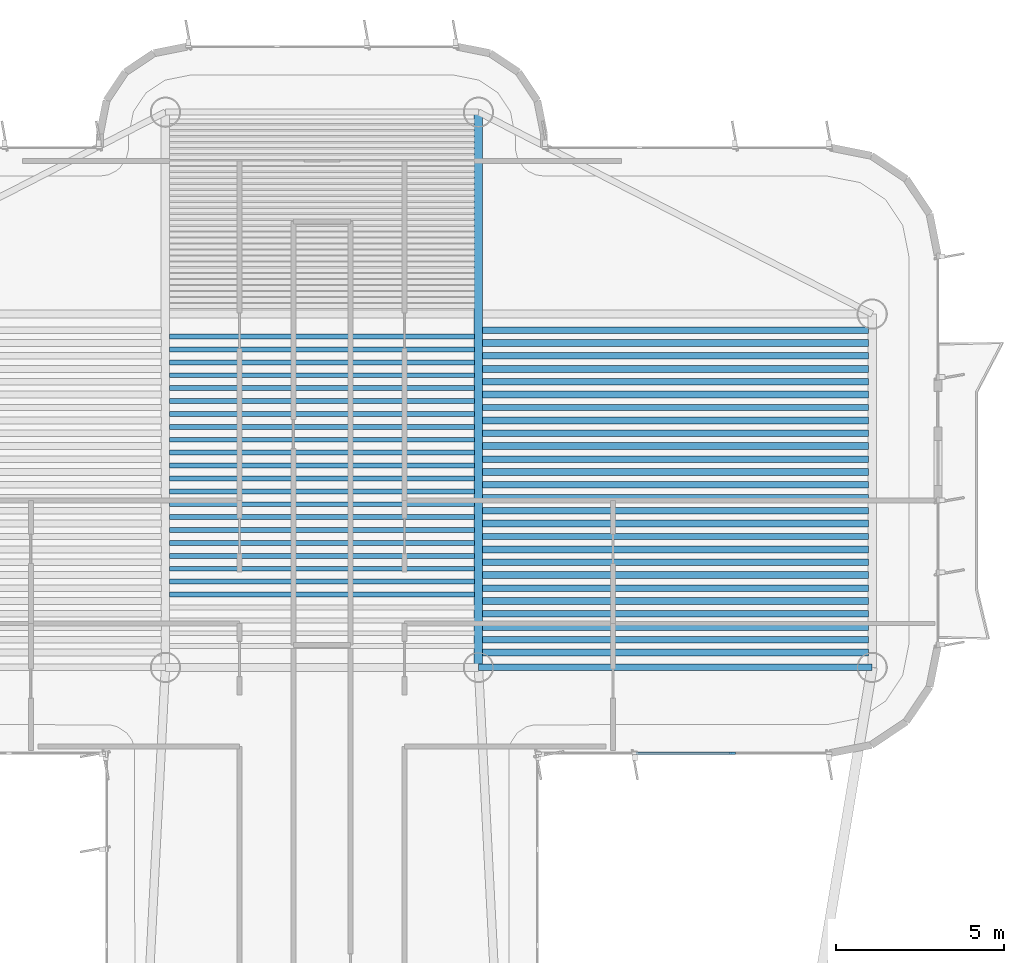
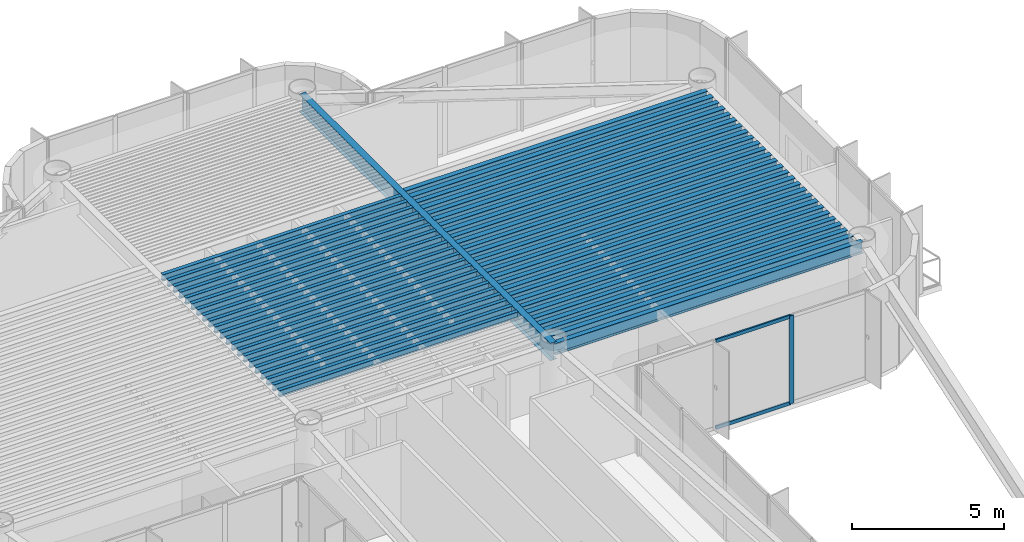
# One storey, part 6 of 15: 49 beams, 3 members, 1 element without a shape of its own.
"""IFC4 building model written with IfcOpenShell, lengths in metres."""

import ifcopenshell
import ifcopenshell.guid

model = None  # the IFC model being written
_history = None  # IfcOwnerHistory: only IFC2X3 demands one
_inside = {}  # id of a spatial element -> (the spatial element, [elements in it])
_under = {}  # id of a project, library or spatial element -> (it, [spatial elements below it])
_declared = {}  # id of a project -> (the project, [libraries it declares])
_typed = {}  # id of a type object -> (the type object, [elements of that type])
_made_of = {}  # id of a material, layer set ... -> (it, [elements and type objects made of it])


def new_model(schema):
    """Start an empty IFC model of exactly this schema.

    Asked for "IFC4X3", IfcOpenShell would pick the latest addendum, in which some entities
    have other attributes; the version numbers below select the first issue.
    IFC2X3 requires an IfcOwnerHistory on every rooted entity: one is made here for all.
    """
    global model, _history
    if schema == "IFC4X3":
        model = ifcopenshell.file(schema_version=(4, 3, 0, 0))
    else:
        model = ifcopenshell.file(schema=schema)
    _inside.clear()
    _under.clear()
    _declared.clear()
    _typed.clear()
    _made_of.clear()
    _history = None
    if model.schema == "IFC2X3":
        org = make("IfcOrganization", Name="unknown")
        user = make(
            "IfcPersonAndOrganization",
            ThePerson=make("IfcPerson", FamilyName="unknown"),
            TheOrganization=org,
        )
        app = make(
            "IfcApplication",
            ApplicationDeveloper=org,
            Version="unknown",
            ApplicationFullName="unknown",
            ApplicationIdentifier="unknown",
        )
        _history = make(
            "IfcOwnerHistory",
            OwningUser=user,
            OwningApplication=app,
            ChangeAction="ADDED",
            CreationDate=0,
        )
    return model


def make(cls, **values):
    """One entity of the class cls with the attributes given. An attribute that is None is left unset."""
    return model.create_entity(
        cls, **{name: value for name, value in values.items() if value is not None}
    )


def rooted(cls, **values):
    """An entity with a GlobalId (a new one), such as an element, a storey or a relation."""
    return make(cls, GlobalId=ifcopenshell.guid.new(), OwnerHistory=_history, **values)


def si_unit(unit_type, name, prefix=None):
    """IfcSIUnit, for example si_unit("LENGTHUNIT", "METRE", prefix="MILLI")."""
    return make("IfcSIUnit", UnitType=unit_type, Prefix=prefix, Name=name)


def assignment(units):
    """IfcUnitAssignment: the units of a project."""
    return None if units is None else make("IfcUnitAssignment", Units=units)


def point(xyz):
    """IfcCartesianPoint."""
    return None if xyz is None else make("IfcCartesianPoint", Coordinates=xyz)


def direction(xyz):
    """IfcDirection."""
    return None if xyz is None else make("IfcDirection", DirectionRatios=xyz)


def frame(location, z_axis=None, x_axis=None):
    """IfcAxis2Placement3D, a coordinate frame: its origin and axes. An axis left out is left unset."""
    return make(
        "IfcAxis2Placement3D",
        Location=point(location),
        Axis=direction(z_axis),
        RefDirection=direction(x_axis),
    )


def frame_2d(location, x_axis=None):
    """IfcAxis2Placement2D, a coordinate frame in the plane: its origin and x axis."""
    return make(
        "IfcAxis2Placement2D", Location=point(location), RefDirection=direction(x_axis)
    )


def origin():
    """The frame at (0, 0, 0) with its axes left unset."""
    return frame((0.0, 0.0, 0.0))


def origin_2d():
    """The frame at (0, 0) in the plane with its x axis left unset."""
    return frame_2d((0.0, 0.0))


def place(relative_to, where):
    """IfcLocalPlacement: puts the frame where relative to a parent placement (None: the world)."""
    return make(
        "IfcLocalPlacement", PlacementRelTo=relative_to, RelativePlacement=where
    )


def context(
    kind, dimensions, precision=None, world=None, true_north=None, identifier=None
):
    """IfcGeometricRepresentationContext, for example the 3D "Model" context."""
    return make(
        "IfcGeometricRepresentationContext",
        ContextIdentifier=identifier,
        ContextType=kind,
        CoordinateSpaceDimension=dimensions,
        Precision=precision,
        WorldCoordinateSystem=world,
        TrueNorth=true_north,
    )


def subcontext(parent, identifier, kind, view, scale=None):
    """IfcGeometricRepresentationSubContext, for example "Body" below "Model"."""
    return make(
        "IfcGeometricRepresentationSubContext",
        ContextIdentifier=identifier,
        ContextType=kind,
        ParentContext=parent,
        TargetScale=scale,
        TargetView=view,
    )


def project(units=None, contexts=None):
    """IfcProject with its units and contexts."""
    return rooted(
        "IfcProject",
        Name="project",
        RepresentationContexts=contexts,
        UnitsInContext=assignment(units),
    )


def spatial(cls, under=None, at=None, **own):
    """A site, building, storey or space (cls), placed at a placement, below another one or the project."""
    s = rooted(cls, ObjectPlacement=at, **own)
    if under is not None:
        _under.setdefault(under.id(), (under, []))[1].append(s)
    return s


def profile(cls, at=None, kind="AREA", **sizes):
    """A parametric profile (cls). Its sizes go by their IFC names, for example OverallWidth=200.0."""
    return make(cls, ProfileType=kind, Position=at, **sizes)


def rectangle(**sizes):
    """IfcRectangleProfileDef."""
    return profile("IfcRectangleProfileDef", **sizes)


def i_section(**sizes):
    """IfcIShapeProfileDef."""
    return profile("IfcIShapeProfileDef", **sizes)


def extrude(swept, where, along, depth):
    """IfcExtrudedAreaSolid: the profile swept, set in the frame where, extruded along a direction by depth."""
    return make(
        "IfcExtrudedAreaSolid",
        SweptArea=swept,
        Position=where,
        ExtrudedDirection=direction(along),
        Depth=depth,
    )


def shape(context_of_items, identifier, shape_type, items):
    """IfcShapeRepresentation: the items that make up one representation, for example the "Body"."""
    return make(
        "IfcShapeRepresentation",
        ContextOfItems=context_of_items,
        RepresentationIdentifier=identifier,
        RepresentationType=shape_type,
        Items=items,
    )


def source(mapping_origin, context_of_items, identifier, shape_type, items):
    """IfcRepresentationMap: a shape defined once, which mapped items show again and again."""
    return make(
        "IfcRepresentationMap",
        MappingOrigin=mapping_origin,
        MappedRepresentation=shape(context_of_items, identifier, shape_type, items),
    )


def transform(
    local_origin,
    x_axis=None,
    y_axis=None,
    z_axis=None,
    scale=None,
    scale2=None,
    scale3=None,
    uniform=True,
):
    """IfcCartesianTransformationOperator3D, or its non-uniform kind. x_axis, y_axis, z_axis: its Axis1, 2, 3."""
    if uniform:
        return make(
            "IfcCartesianTransformationOperator3D",
            Axis1=direction(x_axis),
            Axis2=direction(y_axis),
            LocalOrigin=point(local_origin),
            Scale=scale,
            Axis3=direction(z_axis),
        )
    return make(
        "IfcCartesianTransformationOperator3DnonUniform",
        Axis1=direction(x_axis),
        Axis2=direction(y_axis),
        LocalOrigin=point(local_origin),
        Scale=scale,
        Axis3=direction(z_axis),
        Scale2=scale2,
        Scale3=scale3,
    )


def mapped(mapping_source, mapping_target):
    """IfcMappedItem: shows the shape of a source again, moved by a transform."""
    return make(
        "IfcMappedItem", MappingSource=mapping_source, MappingTarget=mapping_target
    )


def material(Name=None, Category=None):
    """IfcMaterial."""
    return make("IfcMaterial", Name=Name, Category=Category)


def layer(
    of_material, thickness, ventilated=None, Name=None, Category=None, Priority=None
):
    """IfcMaterialLayer: one layer of a wall or slab, of a material (None: an air gap)."""
    return make(
        "IfcMaterialLayer",
        Material=of_material,
        LayerThickness=thickness,
        IsVentilated=ventilated,
        Name=Name,
        Category=Category,
        Priority=Priority,
    )


def layer_set(layers, Name=None):
    """IfcMaterialLayerSet."""
    return make("IfcMaterialLayerSet", MaterialLayers=layers, LayerSetName=Name)


def material_profile(
    of_material, cross_section, Name=None, Category=None, Priority=None
):
    """IfcMaterialProfile: a cross section and its material."""
    return make(
        "IfcMaterialProfile",
        Name=Name,
        Material=of_material,
        Profile=cross_section,
        Priority=Priority,
        Category=Category,
    )


def profile_set(profiles, Name=None, composite=None):
    """IfcMaterialProfileSet."""
    return make(
        "IfcMaterialProfileSet",
        Name=Name,
        MaterialProfiles=profiles,
        CompositeProfile=composite,
    )


def made_of(thing, what):
    """Note that an element or type object is made of a material, layer set ...; save() writes the relation."""
    if what is not None:
        _made_of.setdefault(what.id(), (what, []))[1].append(thing)
    return thing


def type_object(cls, material=None, **own):
    """A type object (cls), such as IfcWallType, which elements share."""
    return made_of(rooted(cls, **own), material)


def element(
    cls,
    number,
    at=None,
    inside=None,
    cuts=None,
    type_object=None,
    material=None,
    context=None,
    identifier="Body",
    shape_type=None,
    held_by="IfcProductDefinitionShape",
    body=None,
    shapes=None,
    **own,
):
    """One element of the class cls, such as IfcWall. Its Tag is "e" and its number.

    at: its placement. inside: the storey or other place that contains it. cuts: it is an
    opening in that element (IfcRelVoidsElement). A single representation is given by context,
    identifier, shape_type and body (its items); several are given by shapes. held_by: the class
    of the entity that holds the representations. save() writes the other relations.
    """
    e = rooted(cls, Tag="e%d" % number, ObjectPlacement=at, **own)
    if body is not None:
        shapes = [shape(context, identifier, shape_type, body)]
    if shapes is not None:
        e.Representation = make(held_by, Representations=shapes)
    if inside is not None:
        _inside.setdefault(inside.id(), (inside, []))[1].append(e)
    if cuts is not None:
        rooted(
            "IfcRelVoidsElement", RelatingBuildingElement=cuts, RelatedOpeningElement=e
        )
    if type_object is not None:
        _typed.setdefault(type_object.id(), (type_object, []))[1].append(e)
    return made_of(e, material)


def aggregate(whole, parts):
    """IfcRelAggregates: a whole, such as a stair, and the parts it consists of."""
    return rooted("IfcRelAggregates", RelatingObject=whole, RelatedObjects=parts)


def save(model, path):
    """Write the relations noted so far, then the file.

    IfcRelAggregates (storeys below a building ...), IfcRelContainedInSpatialStructure (elements
    in a storey), IfcRelDefinesByType, IfcRelAssociatesMaterial and IfcRelDeclares: one each for
    every whole, place, type object, material and project.
    """
    for whole, parts in _under.values():
        aggregate(whole, parts)
    for where, things in _inside.values():
        rooted(
            "IfcRelContainedInSpatialStructure",
            RelatedElements=things,
            RelatingStructure=where,
        )
    for kind, things in _typed.values():
        rooted("IfcRelDefinesByType", RelatedObjects=things, RelatingType=kind)
    for what, things in _made_of.values():
        rooted("IfcRelAssociatesMaterial", RelatedObjects=things, RelatingMaterial=what)
    for by, libraries in _declared.values():
        rooted("IfcRelDeclares", RelatingContext=by, RelatedDefinitions=libraries)
    model.write(path)


model = new_model("IFC4")

# Units and contexts
model_context = context("Model", 3, precision=1e-05, world=origin(), true_north=direction((0.0, 1.0)))
body_context = subcontext(model_context, "Body", "Model", "MODEL_VIEW")
ifc_project = project(units=[si_unit("LENGTHUNIT", "METRE"), si_unit("AREAUNIT", "SQUARE_METRE"), si_unit("VOLUMEUNIT", "CUBIC_METRE"), si_unit("PLANEANGLEUNIT", "RADIAN"), si_unit("MASSUNIT", "GRAM", prefix="KILO")], contexts=[model_context])

# Site, building, storey
site_placement = place(None, origin())
site = spatial("IfcSite", under=ifc_project, at=site_placement, CompositionType="ELEMENT")
building_placement = place(site_placement, origin())
building = spatial("IfcBuilding", under=site, at=building_placement, Name="Brelvock Crest Care Tower", CompositionType="ELEMENT")
storey_placement = place(building_placement, frame((0.0, 0.0, 241.919921875)))
storey = spatial("IfcBuildingStorey", under=building, at=storey_placement, Name="L61", CompositionType="ELEMENT", Elevation=241.919921875)

# Beams
ifc_material_1 = material(Name="Steel Grade 350", Category="steel")
ifc_material_profile_1 = material_profile(ifc_material_1, i_section(OverallWidth=0.14599609375, OverallDepth=0.256103515625, WebThickness=0.00634765625, FlangeThickness=0.010986328125, FilletRadius=0.0087890625, at=origin_2d()), Name="250UB37.3")
ifc_profile_set_1 = profile_set([ifc_material_profile_1], Name="Steel Grade 350")
beam_type_1 = type_object("IfcBeamType", Name="BM-J3", PredefinedType="JOIST", material=ifc_profile_set_1)
shared_shape_1 = source(origin(), body_context, "Body", "SweptSolid", [
    extrude(i_section(OverallWidth=0.14599609375, OverallDepth=0.256103515625, WebThickness=0.00634765625, FlangeThickness=0.010986328125, FilletRadius=0.0087890625, at=origin_2d()), origin(), (0.0, 0.0, 1.0), 9.06982421875),
])
for number, where, z_axis, x_axis, name in (
    (1, (31.465087890625, 46.115478515625, 3.402099609375), (1.0, 0.0, 0.0), (0.0, 1.0, 0.0), "BM-JH-L61-5"),
    (2, (31.465087890625, 46.498779296875, 3.402099609375), (1.0, 0.0, 0.0), (0.0, 1.0, 0.0), "BM-JH-L61-6"),
    (3, (31.465087890625, 46.882080078125, 3.402099609375), (1.0, 0.0, 0.0), (0.0, 1.0, 0.0), "BM-JH-L61-7"),
    (4, (31.465087890625, 47.265380859375, 3.402099609375), (1.0, 0.0, 0.0), (0.0, 1.0, 0.0), "BM-JH-L61-8"),
    (5, (31.465087890625, 47.648681640625, 3.402099609375), (1.0, 0.0, 0.0), (0.0, 1.0, 0.0), "BM-JH-L61-9"),
    (6, (31.465087890625, 48.031982421875, 3.402099609375), (1.0, 0.0, 0.0), (0.0, 1.0, 0.0), "BM-JH-L61-10"),
    (7, (31.465087890625, 48.4150390625, 3.402099609375), (1.0, 0.0, 0.0), (0.0, 1.0, 0.0), "BM-JH-L61-11"),
    (8, (31.465087890625, 48.79833984375, 3.402099609375), (1.0, 0.0, 0.0), (0.0, 1.0, 0.0), "BM-JH-L61-12"),
    (9, (31.465087890625, 49.181640625, 3.402099609375), (1.0, 0.0, 0.0), (0.0, 1.0, 0.0), "BM-JH-L61-13"),
    (10, (31.465087890625, 49.564697265625, 3.402099609375), (1.0, 0.0, 0.0), (0.0, 1.0, 0.0), "BM-JH-L61-14"),
    (11, (31.465087890625, 49.947998046875, 3.402099609375), (1.0, 0.0, 0.0), (0.0, 1.0, 0.0), "BM-JH-L61-15"),
    (12, (31.465087890625, 50.331298828125, 3.402099609375), (1.0, 0.0, 0.0), (0.0, 1.0, 0.0), "BM-JH-L61-16"),
    (13, (31.465087890625, 50.714599609375, 3.402099609375), (1.0, 0.0, 0.0), (0.0, 1.0, 0.0), "BM-JH-L61-17"),
    (14, (31.465087890625, 51.097900390625, 3.402099609375), (1.0, 0.0, 0.0), (0.0, 1.0, 0.0), "BM-JH-L61-18"),
    (15, (31.465087890625, 51.481201171875, 3.402099609375), (1.0, 0.0, 0.0), (0.0, 1.0, 0.0), "BM-JH-L61-19"),
    (16, (31.465087890625, 51.864501953125, 3.402099609375), (1.0, 0.0, 0.0), (0.0, 1.0, 0.0), "BM-JH-L61-20"),
    (17, (31.465087890625, 52.24755859375, 3.402099609375), (1.0, 0.0, 0.0), (0.0, 1.0, 0.0), "BM-JH-L61-21"),
    (18, (31.465087890625, 52.630859375, 3.402099609375), (1.0, 0.0, 0.0), (0.0, 1.0, 0.0), "BM-JH-L61-22"),
    (19, (31.465087890625, 53.01416015625, 3.402099609375), (1.0, 0.0, 0.0), (0.0, 1.0, 0.0), "BM-JH-L61-23"),
    (20, (31.465087890625, 53.3974609375, 3.402099609375), (1.0, 0.0, 0.0), (0.0, 1.0, 0.0), "BM-JH-L61-24"),
    (21, (31.465087890625, 53.780517578125, 3.402099609375), (1.0, 0.0, 0.0), (0.0, 1.0, 0.0), "BM-JH-L61-25"),
):
    element("IfcBeam", number, at=place(storey_placement, frame(where, z_axis=z_axis, x_axis=x_axis)), inside=storey, type_object=beam_type_1, Name=name, PredefinedType="JOIST", context=body_context, shape_type="MappedRepresentation", body=[
        mapped(shared_shape_1, transform((0.0, 0.0, 0.0), x_axis=(1.0, 0.0, 0.0), y_axis=(0.0, 1.0, 0.0), z_axis=(0.0, 0.0, 1.0), scale=1.0)),
    ])
ifc_material_profile_2 = material_profile(ifc_material_1, i_section(OverallWidth=0.19091796875, OverallDepth=0.4599609375, WebThickness=0.010009765625, FlangeThickness=0.01611328125, FilletRadius=0.011474609375, at=origin_2d()), Name="460UB82.1")
ifc_profile_set_2 = profile_set([ifc_material_profile_2], Name="Steel Grade 350")
beam_type_2 = type_object("IfcBeamType", Name="BM-G3", PredefinedType="BEAM", material=ifc_profile_set_2)
shared_shape_2 = source(origin(), body_context, "Body", "SweptSolid", [
    extrude(i_section(OverallWidth=0.19091796875, OverallDepth=0.4599609375, WebThickness=0.010009765625, FlangeThickness=0.01611328125, FilletRadius=0.011474609375, at=origin_2d()), origin(), (0.0, 0.0, 1.0), 11.47021484375),
])
for number, where, z_axis, x_axis, name in (
    (22, (40.764892578125, 44.7744140625, 3.300048828125), (1.0, 0.0, 0.0), (0.0, 1.0, 0.0), "BM-JE-L61-2"),
    (23, (40.764892578125, 45.540771484375, 3.300048828125), (1.0, 0.0, 0.0), (0.0, 1.0, 0.0), "BM-JE-L61-4"),
    (24, (40.764892578125, 46.307373046875, 3.300048828125), (1.0, 0.0, 0.0), (0.0, 1.0, 0.0), "BM-JE-L61-6"),
    (25, (40.764892578125, 47.07373046875, 3.300048828125), (1.0, 0.0, 0.0), (0.0, 1.0, 0.0), "BM-JE-L61-8"),
    (26, (40.764892578125, 47.84033203125, 3.300048828125), (1.0, 0.0, 0.0), (0.0, 1.0, 0.0), "BM-JE-L61-10"),
    (27, (40.764892578125, 48.606689453125, 3.300048828125), (1.0, 0.0, 0.0), (0.0, 1.0, 0.0), "BM-JE-L61-12"),
    (28, (40.764892578125, 49.373291015625, 3.300048828125), (1.0, 0.0, 0.0), (0.0, 1.0, 0.0), "BM-JE-L61-14"),
    (29, (40.764892578125, 50.139892578125, 3.300048828125), (1.0, 0.0, 0.0), (0.0, 1.0, 0.0), "BM-JE-L61-16"),
    (30, (40.764892578125, 50.90625, 3.300048828125), (1.0, 0.0, 0.0), (0.0, 1.0, 0.0), "BM-JE-L61-18"),
    (31, (40.764892578125, 51.6728515625, 3.300048828125), (1.0, 0.0, 0.0), (0.0, 1.0, 0.0), "BM-JE-L61-20"),
    (32, (40.764892578125, 52.439208984375, 3.300048828125), (1.0, 0.0, 0.0), (0.0, 1.0, 0.0), "BM-JE-L61-22"),
    (33, (40.764892578125, 53.205810546875, 3.300048828125), (1.0, 0.0, 0.0), (0.0, 1.0, 0.0), "BM-JE-L61-24"),
    (34, (40.764892578125, 53.972412109375, 3.300048828125), (1.0, 0.0, 0.0), (0.0, 1.0, 0.0), "BM-JE-L61-26"),
):
    element("IfcBeam", number, at=place(storey_placement, frame(where, z_axis=z_axis, x_axis=x_axis)), inside=storey, type_object=beam_type_2, Name=name, PredefinedType="BEAM", context=body_context, shape_type="MappedRepresentation", body=[
        mapped(shared_shape_2, transform((0.0, 0.0, 0.0), x_axis=(1.0, 0.0, 0.0), y_axis=(0.0, 1.0, 0.0), z_axis=(0.0, 0.0, 1.0), scale=1.0)),
    ])
ifc_material_profile_3 = material_profile(ifc_material_1, i_section(OverallWidth=0.208984375, OverallDepth=0.532958984375, WebThickness=0.01025390625, FlangeThickness=0.015625, FilletRadius=0.013916015625, at=origin_2d()), Name="530UB92.4")
ifc_profile_set_3 = profile_set([ifc_material_profile_3], Name="Steel Grade 350")
beam_type_3 = type_object("IfcBeamType", Name="BM-G2", PredefinedType="BEAM", material=ifc_profile_set_3)
shared_shape_3 = source(origin(), body_context, "Body", "SweptSolid", [
    extrude(i_section(OverallWidth=0.208984375, OverallDepth=0.532958984375, WebThickness=0.01025390625, FlangeThickness=0.015625, FilletRadius=0.013916015625, at=origin_2d()), origin(), (0.0, 0.0, 1.0), 11.47021484375),
])
for number, where, z_axis, x_axis, name in (
    (35, (40.764892578125, 44.39111328125, 3.263671875), (1.0, 0.0, 0.0), (0.0, 1.0, 0.0), "BM-JE-L61-1"),
    (36, (40.764892578125, 45.157470703125, 3.263671875), (1.0, 0.0, 0.0), (0.0, 1.0, 0.0), "BM-JE-L61-3"),
    (37, (40.764892578125, 45.924072265625, 3.263671875), (1.0, 0.0, 0.0), (0.0, 1.0, 0.0), "BM-JE-L61-5"),
    (38, (40.764892578125, 46.6904296875, 3.263671875), (1.0, 0.0, 0.0), (0.0, 1.0, 0.0), "BM-JE-L61-7"),
    (39, (40.764892578125, 47.45703125, 3.263671875), (1.0, 0.0, 0.0), (0.0, 1.0, 0.0), "BM-JE-L61-9"),
    (40, (40.764892578125, 48.223388671875, 3.263671875), (1.0, 0.0, 0.0), (0.0, 1.0, 0.0), "BM-JE-L61-11"),
    (41, (40.764892578125, 48.989990234375, 3.263671875), (1.0, 0.0, 0.0), (0.0, 1.0, 0.0), "BM-JE-L61-13"),
    (42, (40.764892578125, 49.756591796875, 3.263671875), (1.0, 0.0, 0.0), (0.0, 1.0, 0.0), "BM-JE-L61-15"),
    (43, (40.764892578125, 50.52294921875, 3.263671875), (1.0, 0.0, 0.0), (0.0, 1.0, 0.0), "BM-JE-L61-17"),
    (44, (40.764892578125, 51.28955078125, 3.263671875), (1.0, 0.0, 0.0), (0.0, 1.0, 0.0), "BM-JE-L61-19"),
    (45, (40.764892578125, 52.055908203125, 3.263671875), (1.0, 0.0, 0.0), (0.0, 1.0, 0.0), "BM-JE-L61-21"),
    (46, (40.764892578125, 52.822509765625, 3.263671875), (1.0, 0.0, 0.0), (0.0, 1.0, 0.0), "BM-JE-L61-23"),
    (47, (40.764892578125, 53.589111328125, 3.263671875), (1.0, 0.0, 0.0), (0.0, 1.0, 0.0), "BM-JE-L61-25"),
):
    element("IfcBeam", number, at=place(storey_placement, frame(where, z_axis=z_axis, x_axis=x_axis)), inside=storey, type_object=beam_type_3, Name=name, PredefinedType="BEAM", context=body_context, shape_type="MappedRepresentation", body=[
        mapped(shared_shape_3, transform((0.0, 0.0, 0.0), x_axis=(1.0, 0.0, 0.0), y_axis=(0.0, 1.0, 0.0), z_axis=(0.0, 0.0, 1.0), scale=1.0)),
    ])
ifc_material_profile_4 = material_profile(ifc_material_1, i_section(OverallWidth=0.19091796875, OverallDepth=0.4599609375, WebThickness=0.010009765625, FlangeThickness=0.01611328125, FilletRadius=0.011474609375, at=origin_2d()), Name="460UB82.1")
ifc_profile_set_4 = profile_set([ifc_material_profile_4], Name="Steel Grade 350")
beam_type_4 = type_object("IfcBeamType", Name="BM-SP2", PredefinedType="SPANDREL", material=ifc_profile_set_4)
shared_shape_4 = source(origin(), body_context, "Body", "SweptSolid", [
    extrude(i_section(OverallWidth=0.19091796875, OverallDepth=0.4599609375, WebThickness=0.010009765625, FlangeThickness=0.01611328125, FilletRadius=0.011474609375, at=origin_2d()), origin(), (0.0, 0.0, 1.0), 11.7001953125),
])
beam_1_placement = place(storey_placement, frame((40.64990234375, 43.949951171875, 3.300048828125), z_axis=(1.0, 0.0, 0.0), x_axis=(0.0, 1.0, 0.0)))
element("IfcBeam", 48, at=beam_1_placement, inside=storey, type_object=beam_type_4, Name="BM-TWR-L61-04", PredefinedType="SPANDREL", context=body_context, shape_type="MappedRepresentation", body=[
    mapped(shared_shape_4, transform((0.0, 0.0, 0.0), x_axis=(1.0, 0.0, 0.0), y_axis=(0.0, 1.0, 0.0), z_axis=(0.0, 0.0, 1.0), scale=1.0)),
])
ifc_material_profile_5 = material_profile(ifc_material_1, i_section(OverallWidth=0.25, OverallDepth=0.699951171875, WebThickness=0.011962890625, FlangeThickness=0.02001953125, at=origin_2d()), Name="700WB150")
ifc_profile_set_5 = profile_set([ifc_material_profile_5], Name="Steel Grade 350")
beam_type_5 = type_object("IfcBeamType", Name="BM-G4", PredefinedType="BEAM", material=ifc_profile_set_5)
shared_shape_5 = source(origin(), body_context, "Body", "SweptSolid", [
    extrude(i_section(OverallWidth=0.25, OverallDepth=0.699951171875, WebThickness=0.011962890625, FlangeThickness=0.02001953125, at=origin_2d()), origin(), (0.0, 0.0, 1.0), 16.5),
])
beam_2_placement = place(storey_placement, frame((40.64990234375, 43.949951171875, 3.18017578125), z_axis=(0.0, 1.0, 0.0), x_axis=(-1.0, 0.0, 0.0)))
element("IfcBeam", 49, at=beam_2_placement, inside=storey, type_object=beam_type_5, Name="BM-TWR-L61-10", PredefinedType="BEAM", context=body_context, shape_type="MappedRepresentation", body=[
    mapped(shared_shape_5, transform((0.0, 0.0, 0.0), x_axis=(1.0, 0.0, 0.0), y_axis=(0.0, 1.0, 0.0), z_axis=(0.0, 0.0, 1.0), scale=1.0)),
])

# Curtain wall, members
ifc_material_2 = material(Name="Dark Glass Double Glazed Low-E", Category="glass")
ifc_layer = layer(ifc_material_2, 0.239990234375, Name="CWS-5")
ifc_layer_set = layer_set([ifc_layer], Name="Dark Glass Double Glazed Low-E")
curtain_wall_type = type_object("IfcCurtainWallType", Name="CWS-5", PredefinedType="NOTDEFINED", material=ifc_layer_set)
curtain_wall_placement = place(storey_placement, origin())
curtain_wall = element("IfcCurtainWall", 50, at=curtain_wall_placement, inside=storey, type_object=curtain_wall_type, Name="L61 Curtain Wall E44", PredefinedType="NOTDEFINED")
ifc_material_3 = material(Name="Aluminium 6063-T6", Category="aluminium")
ifc_material_profile_6 = material_profile(ifc_material_3, rectangle(XDim=0.06005859375, YDim=0.179931640625, at=origin_2d()), Name="ALU60x180")
ifc_profile_set_6 = profile_set([ifc_material_profile_6], Name="Aluminium 6063-T6")
member_type_1 = type_object("IfcMemberType", Name="CWM-2", PredefinedType="MULLION", material=ifc_profile_set_6)
shared_shape_6 = source(origin(), body_context, "Body", "SweptSolid", [
    extrude(rectangle(XDim=0.06005859375, YDim=0.179931640625, at=origin_2d()), origin(), (0.0, 0.0, 1.0), 3.530029296875),
])
member_1_placement = place(storey_placement, frame((48.199951171875, 41.39990234375, 0.0), z_axis=(0.0, 0.0, 1.0), x_axis=(0.0, -1.0, 0.0)))
member_1 = element("IfcMember", 51, at=member_1_placement, type_object=member_type_1, Name="CW-5 mullion 2", PredefinedType="MULLION", context=body_context, shape_type="MappedRepresentation", body=[
    mapped(shared_shape_6, transform((0.0, 0.0, 0.0), x_axis=(1.0, 0.0, 0.0), y_axis=(0.0, 1.0, 0.0), z_axis=(0.0, 0.0, 1.0), scale=1.0)),
])
ifc_material_profile_7 = material_profile(ifc_material_3, rectangle(XDim=0.06005859375, YDim=0.139892578125, at=origin_2d()), Name="ALU60x140")
ifc_profile_set_7 = profile_set([ifc_material_profile_7], Name="Aluminium 6063-T6")
member_type_2 = type_object("IfcMemberType", Name="CWT-2", PredefinedType="USERDEFINED", material=ifc_profile_set_7)
shared_shape_7 = source(origin(), body_context, "Body", "SweptSolid", [
    extrude(rectangle(XDim=0.06005859375, YDim=0.139892578125, at=origin_2d()), origin(), (0.0, 0.0, 1.0), 2.83984375),
])
member_2_placement = place(storey_placement, frame((48.169921875, 41.39990234375, 0.030029296875), z_axis=(-1.0, 0.0, 0.0), x_axis=(0.0, -1.0, 0.0)))
member_2 = element("IfcMember", 52, at=member_2_placement, type_object=member_type_2, Name="CW-5 transom 2.1", ObjectType="TRANSOM", PredefinedType="USERDEFINED", context=body_context, shape_type="MappedRepresentation", body=[
    mapped(shared_shape_7, transform((0.0, 0.0, 0.0), x_axis=(1.0, 0.0, 0.0), y_axis=(0.0, 1.0, 0.0), z_axis=(0.0, 0.0, 1.0), scale=1.0)),
])
member_3_placement = place(storey_placement, frame((48.169921875, 41.39990234375, 3.5), z_axis=(-1.0, 0.0, 0.0), x_axis=(0.0, -1.0, 0.0)))
member_3 = element("IfcMember", 53, at=member_3_placement, type_object=member_type_2, Name="CW-5 transom 2.2", ObjectType="TRANSOM", PredefinedType="USERDEFINED", context=body_context, shape_type="MappedRepresentation", body=[
    mapped(shared_shape_7, transform((0.0, 0.0, 0.0), x_axis=(1.0, 0.0, 0.0), y_axis=(0.0, 1.0, 0.0), z_axis=(0.0, 0.0, 1.0), scale=1.0)),
])
aggregate(curtain_wall, [member_1, member_2, member_3])

save(model, "model.ifc")
